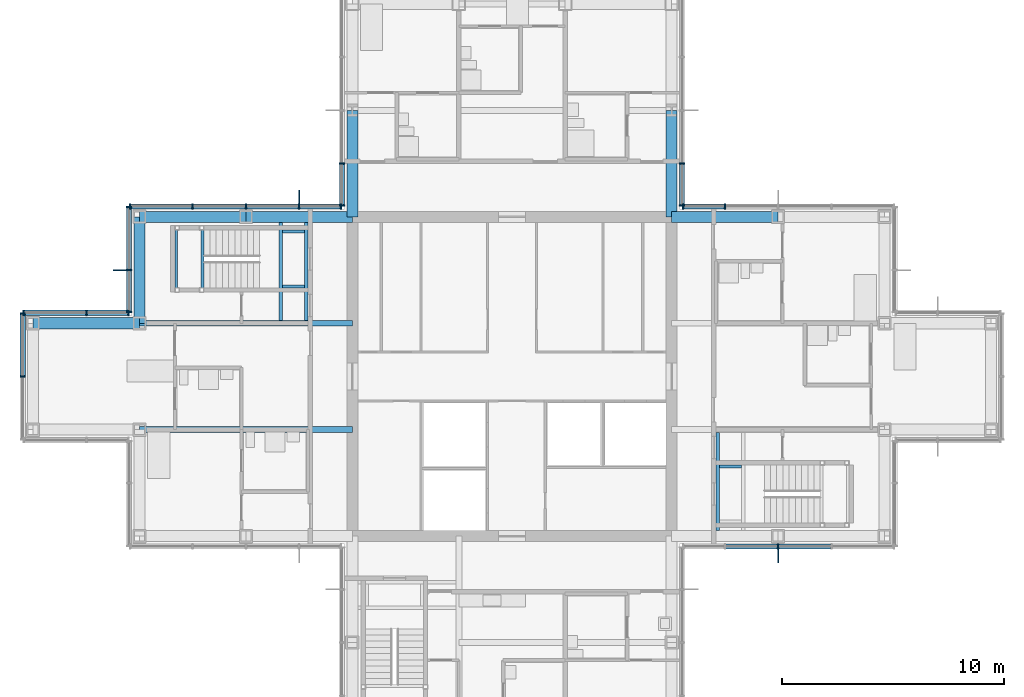
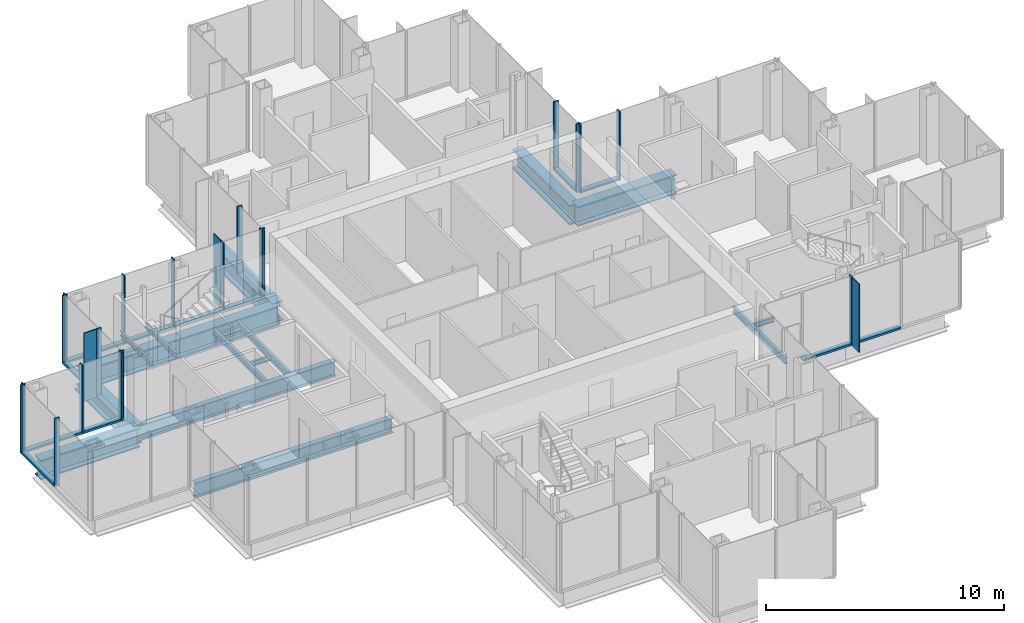
# One storey, part 7 of 17: 37 members, 17 beams, 8 elements without a shape of their own.
"""IFC4 building model written with IfcOpenShell, lengths in metres."""

from ifc_helpers import new_model, si_unit, direction, frame, origin, origin_2d, place, context, subcontext, project, spatial, rectangle, i_section, extrude, material, material_profile, profile_set, type_object, element, aggregate, save


model = new_model("IFC4")

# Units and contexts
model_context = context("Model", 3, precision=1e-05, world=origin(), true_north=direction((0.0, 1.0)))
body_context = subcontext(model_context, "Body", "Model", "MODEL_VIEW")
ifc_project = project(units=[si_unit("LENGTHUNIT", "METRE"), si_unit("AREAUNIT", "SQUARE_METRE"), si_unit("VOLUMEUNIT", "CUBIC_METRE"), si_unit("PLANEANGLEUNIT", "RADIAN"), si_unit("MASSUNIT", "GRAM", prefix="KILO")], contexts=[model_context])

# Site, building, storey
site_placement = place(None, origin())
site = spatial("IfcSite", under=ifc_project, at=site_placement, CompositionType="ELEMENT")
building_placement = place(site_placement, origin())
building = spatial("IfcBuilding", under=site, at=building_placement, Name="Kvirike Care Tower", CompositionType="ELEMENT")
storey_placement = place(building_placement, frame((0.0, 0.0, 148.0)))
storey = spatial("IfcBuildingStorey", under=building, at=storey_placement, Name="L40", CompositionType="ELEMENT", Elevation=148.0)

# Curtain wall, member
ifc_material_1 = material(Name="Anodised aluminium stick system", Category="aluminium")
curtain_wall_type = type_object("IfcCurtainWallType", Name="CW-C STICK CURTAIN WALL", PredefinedType="NOTDEFINED", material=ifc_material_1)
curtain_wall_1_placement = place(storey_placement, origin())
curtain_wall_1 = element("IfcCurtainWall", 1, at=curtain_wall_1_placement, inside=storey, type_object=curtain_wall_type, Name="Curtain wall L40 face 1", PredefinedType="NOTDEFINED")
ifc_material_2 = material(Name="Bronze anodised aluminium fin", Category="aluminium")
ifc_material_profile_1 = material_profile(ifc_material_2, rectangle(XDim=0.050048828125, YDim=0.60009765625, at=origin_2d()), Name="BRONZE FIN 600")
ifc_profile_set_1 = profile_set([ifc_material_profile_1], Name="Bronze anodised aluminium fin")
member_type_1 = type_object("IfcMemberType", Name="BRONZE FIN 600", PredefinedType="USERDEFINED", material=ifc_profile_set_1)
member_1_placement = place(storey_placement, frame((33.60009765625, 27.909912109375, 0.0), z_axis=(0.0, 0.0, 1.0), x_axis=(1.0, 0.0, 0.0)))
member_1 = element("IfcMember", 2, at=member_1_placement, type_object=member_type_1, Name="Bronze fin L40 face 1.3", ObjectType="FIN", PredefinedType="USERDEFINED", context=body_context, shape_type="SweptSolid", body=[
    extrude(rectangle(XDim=0.050048828125, YDim=0.60009765625, at=origin_2d()), origin(), (0.0, 0.0, 1.0), 3.5),
])

curtain_wall_2_placement = place(storey_placement, origin())
curtain_wall_2 = element("IfcCurtainWall", 3, at=curtain_wall_2_placement, inside=storey, type_object=curtain_wall_type, Name="Curtain wall L40 face 15", PredefinedType="NOTDEFINED")
member_2_placement = place(storey_placement, frame((12.0, 44.090087890625, 0.0), z_axis=(0.0, 0.0, 1.0), x_axis=(-1.0, 0.0, 0.0)))
member_2 = element("IfcMember", 4, at=member_2_placement, type_object=member_type_1, Name="Bronze fin L40 face 15.2", ObjectType="FIN", PredefinedType="USERDEFINED", context=body_context, shape_type="SweptSolid", body=[
    extrude(rectangle(XDim=0.050048828125, YDim=0.60009765625, at=origin_2d()), origin(), (0.0, 0.0, 1.0), 3.5),
])

curtain_wall_3_placement = place(storey_placement, origin())
curtain_wall_3 = element("IfcCurtainWall", 5, at=curtain_wall_3_placement, inside=storey, type_object=curtain_wall_type, Name="Curtain wall L40 face 16", PredefinedType="NOTDEFINED")
member_3_placement = place(storey_placement, frame((3.909912109375, 40.800048828125, 0.0), z_axis=(0.0, 0.0, 1.0), x_axis=(0.0, -1.0, 0.0)))
member_3 = element("IfcMember", 6, at=member_3_placement, type_object=member_type_1, Name="Bronze fin L40 face 16.2", ObjectType="FIN", PredefinedType="USERDEFINED", context=body_context, shape_type="SweptSolid", body=[
    extrude(rectangle(XDim=0.050048828125, YDim=0.60009765625, at=origin_2d()), origin(), (0.0, 0.0, 1.0), 3.5),
])

# Member
ifc_material_3 = material(Name="Bronze anodised aluminium mullion", Category="aluminium")
ifc_material_profile_2 = material_profile(ifc_material_3, rectangle(XDim=0.06494140625, YDim=0.239990234375, at=origin_2d()), Name="CW-C MULLION 65x240")
ifc_profile_set_2 = profile_set([ifc_material_profile_2], Name="Bronze anodised aluminium mullion")
member_type_2 = type_object("IfcMemberType", Name="CW-C MULLION 65x240", PredefinedType="MULLION", material=ifc_profile_set_2)
member_4_placement = place(storey_placement, frame((33.60009765625, 28.330078125, 0.0), z_axis=(0.0, 0.0, 1.0), x_axis=(1.0, 0.0, 0.0)))
member_4 = element("IfcMember", 7, at=member_4_placement, type_object=member_type_2, Name="CW-C mullion L40 face 1.3", PredefinedType="MULLION", context=body_context, shape_type="SweptSolid", body=[
    extrude(rectangle(XDim=0.06494140625, YDim=0.239990234375, at=origin_2d()), origin(), (0.0, 0.0, 1.0), 3.5),
])

# Curtain wall, members
curtain_wall_4_placement = place(storey_placement, origin())
curtain_wall_4 = element("IfcCurtainWall", 8, at=curtain_wall_4_placement, inside=storey, type_object=curtain_wall_type, Name="Curtain wall L40 face 7", PredefinedType="NOTDEFINED")
member_5_placement = place(storey_placement, frame((31.199951171875, 43.669921875, 0.0), z_axis=(0.0, 0.0, 1.0), x_axis=(-1.0, 0.0, 0.0)))
member_5 = element("IfcMember", 9, at=member_5_placement, type_object=member_type_2, Name="CW-C mullion L40 face 7.4", PredefinedType="MULLION", context=body_context, shape_type="SweptSolid", body=[
    extrude(rectangle(XDim=0.06494140625, YDim=0.239990234375, at=origin_2d()), origin(), (0.0, 0.0, 1.0), 3.5),
])
member_6_placement = place(storey_placement, frame((29.302490234375, 43.669921875, 0.0), z_axis=(0.0, 0.0, 1.0), x_axis=(-1.0, 0.0, 0.0)))
member_6 = element("IfcMember", 10, at=member_6_placement, type_object=member_type_2, Name="CW-C mullion L40 face 7.5", PredefinedType="MULLION", context=body_context, shape_type="SweptSolid", body=[
    extrude(rectangle(XDim=0.06494140625, YDim=0.239990234375, at=origin_2d()), origin(), (0.0, 0.0, 1.0), 3.5),
])

curtain_wall_5_placement = place(storey_placement, origin())
curtain_wall_5 = element("IfcCurtainWall", 11, at=curtain_wall_5_placement, inside=storey, type_object=curtain_wall_type, Name="Curtain wall L40 face 8", PredefinedType="NOTDEFINED")
member_7_placement = place(storey_placement, frame((29.27001953125, 43.702392578125, 0.0), z_axis=(0.0, 0.0, 1.0), x_axis=(0.0, 1.0, 0.0)))
member_7 = element("IfcMember", 12, at=member_7_placement, type_object=member_type_2, Name="CW-C mullion L40 face 8.1", PredefinedType="MULLION", context=body_context, shape_type="SweptSolid", body=[
    extrude(rectangle(XDim=0.06494140625, YDim=0.239990234375, at=origin_2d()), origin(), (0.0, 0.0, 1.0), 3.5),
])
member_8_placement = place(storey_placement, frame((29.27001953125, 45.60009765625, 0.0), z_axis=(0.0, 0.0, 1.0), x_axis=(0.0, 1.0, 0.0)))
member_8 = element("IfcMember", 13, at=member_8_placement, type_object=member_type_2, Name="CW-C mullion L40 face 8.2", PredefinedType="MULLION", context=body_context, shape_type="SweptSolid", body=[
    extrude(rectangle(XDim=0.06494140625, YDim=0.239990234375, at=origin_2d()), origin(), (0.0, 0.0, 1.0), 3.5),
])

curtain_wall_6_placement = place(storey_placement, origin())
curtain_wall_6 = element("IfcCurtainWall", 14, at=curtain_wall_6_placement, inside=storey, type_object=curtain_wall_type, Name="Curtain wall L40 face 14", PredefinedType="NOTDEFINED")
member_9_placement = place(storey_placement, frame((13.929931640625, 45.60009765625, 0.0), z_axis=(0.0, 0.0, 1.0), x_axis=(0.0, -1.0, 0.0)))
member_9 = element("IfcMember", 15, at=member_9_placement, type_object=member_type_2, Name="CW-C mullion L40 face 14.4", PredefinedType="MULLION", context=body_context, shape_type="SweptSolid", body=[
    extrude(rectangle(XDim=0.06494140625, YDim=0.239990234375, at=origin_2d()), origin(), (0.0, 0.0, 1.0), 3.5),
])
member_10_placement = place(storey_placement, frame((13.929931640625, 43.702392578125, 0.0), z_axis=(0.0, 0.0, 1.0), x_axis=(0.0, -1.0, 0.0)))
member_10 = element("IfcMember", 16, at=member_10_placement, type_object=member_type_2, Name="CW-C mullion L40 face 14.5", PredefinedType="MULLION", context=body_context, shape_type="SweptSolid", body=[
    extrude(rectangle(XDim=0.06494140625, YDim=0.239990234375, at=origin_2d()), origin(), (0.0, 0.0, 1.0), 3.5),
])

# Member
member_11_placement = place(storey_placement, frame((13.8974609375, 43.669921875, 0.0), z_axis=(0.0, 0.0, 1.0), x_axis=(-1.0, 0.0, 0.0)))
member_11 = element("IfcMember", 17, at=member_11_placement, type_object=member_type_2, Name="CW-C mullion L40 face 15.1", PredefinedType="MULLION", context=body_context, shape_type="SweptSolid", body=[
    extrude(rectangle(XDim=0.06494140625, YDim=0.239990234375, at=origin_2d()), origin(), (0.0, 0.0, 1.0), 3.5),
])

member_12_placement = place(storey_placement, frame((12.0, 43.669921875, 0.0), z_axis=(0.0, 0.0, 1.0), x_axis=(-1.0, 0.0, 0.0)))
member_12 = element("IfcMember", 18, at=member_12_placement, type_object=member_type_2, Name="CW-C mullion L40 face 15.2", PredefinedType="MULLION", context=body_context, shape_type="SweptSolid", body=[
    extrude(rectangle(XDim=0.06494140625, YDim=0.239990234375, at=origin_2d()), origin(), (0.0, 0.0, 1.0), 3.5),
])

member_13_placement = place(storey_placement, frame((9.60009765625, 43.669921875, 0.0), z_axis=(0.0, 0.0, 1.0), x_axis=(-1.0, 0.0, 0.0)))
member_13 = element("IfcMember", 19, at=member_13_placement, type_object=member_type_2, Name="CW-C mullion L40 face 15.3", PredefinedType="MULLION", context=body_context, shape_type="SweptSolid", body=[
    extrude(rectangle(XDim=0.06494140625, YDim=0.239990234375, at=origin_2d()), origin(), (0.0, 0.0, 1.0), 3.5),
])

member_14_placement = place(storey_placement, frame((7.199951171875, 43.669921875, 0.0), z_axis=(0.0, 0.0, 1.0), x_axis=(-1.0, 0.0, 0.0)))
member_14 = element("IfcMember", 20, at=member_14_placement, type_object=member_type_2, Name="CW-C mullion L40 face 15.4", PredefinedType="MULLION", context=body_context, shape_type="SweptSolid", body=[
    extrude(rectangle(XDim=0.06494140625, YDim=0.239990234375, at=origin_2d()), origin(), (0.0, 0.0, 1.0), 3.5),
])

member_15_placement = place(storey_placement, frame((4.362548828125, 43.669921875, 0.0), z_axis=(0.0, 0.0, 1.0), x_axis=(-1.0, 0.0, 0.0)))
member_15 = element("IfcMember", 21, at=member_15_placement, type_object=member_type_2, Name="CW-C mullion L40 face 15.5", PredefinedType="MULLION", context=body_context, shape_type="SweptSolid", body=[
    extrude(rectangle(XDim=0.06494140625, YDim=0.239990234375, at=origin_2d()), origin(), (0.0, 0.0, 1.0), 3.5),
])

member_16_placement = place(storey_placement, frame((4.330078125, 43.637451171875, 0.0), z_axis=(0.0, 0.0, 1.0), x_axis=(0.0, -1.0, 0.0)))
member_16 = element("IfcMember", 22, at=member_16_placement, type_object=member_type_2, Name="CW-C mullion L40 face 16.1", PredefinedType="MULLION", context=body_context, shape_type="SweptSolid", body=[
    extrude(rectangle(XDim=0.06494140625, YDim=0.239990234375, at=origin_2d()), origin(), (0.0, 0.0, 1.0), 3.5),
])

member_17_placement = place(storey_placement, frame((4.330078125, 40.800048828125, 0.0), z_axis=(0.0, 0.0, 1.0), x_axis=(0.0, -1.0, 0.0)))
member_17 = element("IfcMember", 23, at=member_17_placement, type_object=member_type_2, Name="CW-C mullion L40 face 16.2", PredefinedType="MULLION", context=body_context, shape_type="SweptSolid", body=[
    extrude(rectangle(XDim=0.06494140625, YDim=0.239990234375, at=origin_2d()), origin(), (0.0, 0.0, 1.0), 3.5),
])

member_18_placement = place(storey_placement, frame((4.330078125, 38.902587890625, 0.0), z_axis=(0.0, 0.0, 1.0), x_axis=(0.0, -1.0, 0.0)))
member_18 = element("IfcMember", 24, at=member_18_placement, type_object=member_type_2, Name="CW-C mullion L40 face 16.3", PredefinedType="MULLION", context=body_context, shape_type="SweptSolid", body=[
    extrude(rectangle(XDim=0.06494140625, YDim=0.239990234375, at=origin_2d()), origin(), (0.0, 0.0, 1.0), 3.5),
])

# Curtain wall, members
curtain_wall_7_placement = place(storey_placement, origin())
curtain_wall_7 = element("IfcCurtainWall", 25, at=curtain_wall_7_placement, inside=storey, type_object=curtain_wall_type, Name="Curtain wall L40 face 17", PredefinedType="NOTDEFINED")
member_19_placement = place(storey_placement, frame((4.297607421875, 38.8701171875, 0.0), z_axis=(0.0, 0.0, 1.0), x_axis=(-1.0, 0.0, 0.0)))
member_19 = element("IfcMember", 26, at=member_19_placement, type_object=member_type_2, Name="CW-C mullion L40 face 17.1", PredefinedType="MULLION", context=body_context, shape_type="SweptSolid", body=[
    extrude(rectangle(XDim=0.06494140625, YDim=0.239990234375, at=origin_2d()), origin(), (0.0, 0.0, 1.0), 3.5),
])
member_20_placement = place(storey_placement, frame((2.39990234375, 38.8701171875, 0.0), z_axis=(0.0, 0.0, 1.0), x_axis=(-1.0, 0.0, 0.0)))
member_20 = element("IfcMember", 27, at=member_20_placement, type_object=member_type_2, Name="CW-C mullion L40 face 17.2", PredefinedType="MULLION", context=body_context, shape_type="SweptSolid", body=[
    extrude(rectangle(XDim=0.06494140625, YDim=0.239990234375, at=origin_2d()), origin(), (0.0, 0.0, 1.0), 3.5),
])
member_21_placement = place(storey_placement, frame((-0.4375, 38.8701171875, 0.0), z_axis=(0.0, 0.0, 1.0), x_axis=(-1.0, 0.0, 0.0)))
member_21 = element("IfcMember", 28, at=member_21_placement, type_object=member_type_2, Name="CW-C mullion L40 face 17.3", PredefinedType="MULLION", context=body_context, shape_type="SweptSolid", body=[
    extrude(rectangle(XDim=0.06494140625, YDim=0.239990234375, at=origin_2d()), origin(), (0.0, 0.0, 1.0), 3.5),
])

curtain_wall_8_placement = place(storey_placement, origin())
curtain_wall_8 = element("IfcCurtainWall", 29, at=curtain_wall_8_placement, inside=storey, type_object=curtain_wall_type, Name="Curtain wall L40 face 18", PredefinedType="NOTDEFINED")
member_22_placement = place(storey_placement, frame((-0.469970703125, 38.83740234375, 0.0), z_axis=(0.0, 0.0, 1.0), x_axis=(0.0, -1.0, 0.0)))
member_22 = element("IfcMember", 30, at=member_22_placement, type_object=member_type_2, Name="CW-C mullion L40 face 18.1", PredefinedType="MULLION", context=body_context, shape_type="SweptSolid", body=[
    extrude(rectangle(XDim=0.06494140625, YDim=0.239990234375, at=origin_2d()), origin(), (0.0, 0.0, 1.0), 3.5),
])
member_23_placement = place(storey_placement, frame((-0.469970703125, 36.0, 0.0), z_axis=(0.0, 0.0, 1.0), x_axis=(0.0, -1.0, 0.0)))
member_23 = element("IfcMember", 31, at=member_23_placement, type_object=member_type_2, Name="CW-C mullion L40 face 18.2", PredefinedType="MULLION", context=body_context, shape_type="SweptSolid", body=[
    extrude(rectangle(XDim=0.06494140625, YDim=0.239990234375, at=origin_2d()), origin(), (0.0, 0.0, 1.0), 3.5),
])

# Member
ifc_material_4 = material(Name="Bronze anodised aluminium transom", Category="aluminium")
ifc_material_profile_3 = material_profile(ifc_material_4, rectangle(XDim=0.239990234375, YDim=0.10009765625, at=origin_2d()), Name="CW-C TRANSOM 240x100")
ifc_profile_set_3 = profile_set([ifc_material_profile_3], Name="Bronze anodised aluminium transom")
member_type_3 = type_object("IfcMemberType", Name="CW-C TRANSOM 240x100", PredefinedType="USERDEFINED", material=ifc_profile_set_3)
member_24_placement = place(storey_placement, frame((31.232421875, 28.330078125, 0.050048828125), z_axis=(1.0, 0.0, 0.0), x_axis=(0.0, 1.0, 0.0)))
member_24 = element("IfcMember", 32, at=member_24_placement, type_object=member_type_3, Name="CW-C sill transom L40 face 1.2", ObjectType="TRANSOM", PredefinedType="USERDEFINED", context=body_context, shape_type="SweptSolid", body=[
    extrude(rectangle(XDim=0.239990234375, YDim=0.10009765625, at=origin_2d()), origin(), (0.0, 0.0, 1.0), 2.3349609375),
])

member_25_placement = place(storey_placement, frame((33.632568359375, 28.330078125, 0.050048828125), z_axis=(1.0, 0.0, 0.0), x_axis=(0.0, 1.0, 0.0)))
member_25 = element("IfcMember", 33, at=member_25_placement, type_object=member_type_3, Name="CW-C sill transom L40 face 1.3", ObjectType="TRANSOM", PredefinedType="USERDEFINED", context=body_context, shape_type="SweptSolid", body=[
    extrude(rectangle(XDim=0.239990234375, YDim=0.10009765625, at=origin_2d()), origin(), (0.0, 0.0, 1.0), 2.3349609375),
])

aggregate(curtain_wall_1, [member_4, member_1, member_24, member_25])

member_26_placement = place(storey_placement, frame((31.16748046875, 43.669921875, 0.050048828125), z_axis=(-1.0, 0.0, 0.0), x_axis=(0.0, -1.0, 0.0)))
member_26 = element("IfcMember", 34, at=member_26_placement, type_object=member_type_3, Name="CW-C sill transom L40 face 7.4", ObjectType="TRANSOM", PredefinedType="USERDEFINED", context=body_context, shape_type="SweptSolid", body=[
    extrude(rectangle(XDim=0.239990234375, YDim=0.10009765625, at=origin_2d()), origin(), (0.0, 0.0, 1.0), 1.83251953125),
])

aggregate(curtain_wall_4, [member_5, member_6, member_26])

member_27_placement = place(storey_placement, frame((29.27001953125, 43.735107421875, 0.050048828125), z_axis=(0.0, 1.0, 0.0), x_axis=(-1.0, 0.0, 0.0)))
member_27 = element("IfcMember", 35, at=member_27_placement, type_object=member_type_3, Name="CW-C sill transom L40 face 8.1", ObjectType="TRANSOM", PredefinedType="USERDEFINED", context=body_context, shape_type="SweptSolid", body=[
    extrude(rectangle(XDim=0.239990234375, YDim=0.10009765625, at=origin_2d()), origin(), (0.0, 0.0, 1.0), 1.832275390625),
])

aggregate(curtain_wall_5, [member_7, member_8, member_27])

member_28_placement = place(storey_placement, frame((13.929931640625, 45.5673828125, 0.050048828125), z_axis=(0.0, -1.0, 0.0), x_axis=(1.0, 0.0, 0.0)))
member_28 = element("IfcMember", 36, at=member_28_placement, type_object=member_type_3, Name="CW-C sill transom L40 face 14.4", ObjectType="TRANSOM", PredefinedType="USERDEFINED", context=body_context, shape_type="SweptSolid", body=[
    extrude(rectangle(XDim=0.239990234375, YDim=0.10009765625, at=origin_2d()), origin(), (0.0, 0.0, 1.0), 1.832275390625),
])

aggregate(curtain_wall_6, [member_9, member_10, member_28])

member_29_placement = place(storey_placement, frame((13.864990234375, 43.669921875, 0.050048828125), z_axis=(-1.0, 0.0, 0.0), x_axis=(0.0, -1.0, 0.0)))
member_29 = element("IfcMember", 37, at=member_29_placement, type_object=member_type_3, Name="CW-C sill transom L40 face 15.1", ObjectType="TRANSOM", PredefinedType="USERDEFINED", context=body_context, shape_type="SweptSolid", body=[
    extrude(rectangle(XDim=0.239990234375, YDim=0.10009765625, at=origin_2d()), origin(), (0.0, 0.0, 1.0), 1.83251953125),
])

member_30_placement = place(storey_placement, frame((11.967529296875, 43.669921875, 0.050048828125), z_axis=(-1.0, 0.0, 0.0), x_axis=(0.0, -1.0, 0.0)))
member_30 = element("IfcMember", 38, at=member_30_placement, type_object=member_type_3, Name="CW-C sill transom L40 face 15.2", ObjectType="TRANSOM", PredefinedType="USERDEFINED", context=body_context, shape_type="SweptSolid", body=[
    extrude(rectangle(XDim=0.239990234375, YDim=0.10009765625, at=origin_2d()), origin(), (0.0, 0.0, 1.0), 2.3349609375),
])

member_31_placement = place(storey_placement, frame((9.5673828125, 43.669921875, 0.050048828125), z_axis=(-1.0, 0.0, 0.0), x_axis=(0.0, -1.0, 0.0)))
member_31 = element("IfcMember", 39, at=member_31_placement, type_object=member_type_3, Name="CW-C sill transom L40 face 15.3", ObjectType="TRANSOM", PredefinedType="USERDEFINED", context=body_context, shape_type="SweptSolid", body=[
    extrude(rectangle(XDim=0.239990234375, YDim=0.10009765625, at=origin_2d()), origin(), (0.0, 0.0, 1.0), 2.3349609375),
])

member_32_placement = place(storey_placement, frame((7.16748046875, 43.669921875, 0.050048828125), z_axis=(-1.0, 0.0, 0.0), x_axis=(0.0, -1.0, 0.0)))
member_32 = element("IfcMember", 40, at=member_32_placement, type_object=member_type_3, Name="CW-C sill transom L40 face 15.4", ObjectType="TRANSOM", PredefinedType="USERDEFINED", context=body_context, shape_type="SweptSolid", body=[
    extrude(rectangle(XDim=0.239990234375, YDim=0.10009765625, at=origin_2d()), origin(), (0.0, 0.0, 1.0), 2.7724609375),
])

aggregate(curtain_wall_2, [member_11, member_12, member_2, member_13, member_14, member_15, member_29, member_30, member_31, member_32])

member_33_placement = place(storey_placement, frame((4.330078125, 43.60498046875, 0.050048828125), z_axis=(0.0, -1.0, 0.0), x_axis=(1.0, 0.0, 0.0)))
member_33 = element("IfcMember", 41, at=member_33_placement, type_object=member_type_3, Name="CW-C sill transom L40 face 16.1", ObjectType="TRANSOM", PredefinedType="USERDEFINED", context=body_context, shape_type="SweptSolid", body=[
    extrude(rectangle(XDim=0.239990234375, YDim=0.10009765625, at=origin_2d()), origin(), (0.0, 0.0, 1.0), 2.7724609375),
])

member_34_placement = place(storey_placement, frame((4.330078125, 40.767578125, 0.050048828125), z_axis=(0.0, -1.0, 0.0), x_axis=(1.0, 0.0, 0.0)))
member_34 = element("IfcMember", 42, at=member_34_placement, type_object=member_type_3, Name="CW-C sill transom L40 face 16.2", ObjectType="TRANSOM", PredefinedType="USERDEFINED", context=body_context, shape_type="SweptSolid", body=[
    extrude(rectangle(XDim=0.239990234375, YDim=0.10009765625, at=origin_2d()), origin(), (0.0, 0.0, 1.0), 1.83251953125),
])

aggregate(curtain_wall_3, [member_16, member_17, member_3, member_18, member_33, member_34])

member_35_placement = place(storey_placement, frame((4.264892578125, 38.8701171875, 0.050048828125), z_axis=(-1.0, 0.0, 0.0), x_axis=(0.0, -1.0, 0.0)))
member_35 = element("IfcMember", 43, at=member_35_placement, type_object=member_type_3, Name="CW-C sill transom L40 face 17.1", ObjectType="TRANSOM", PredefinedType="USERDEFINED", context=body_context, shape_type="SweptSolid", body=[
    extrude(rectangle(XDim=0.239990234375, YDim=0.10009765625, at=origin_2d()), origin(), (0.0, 0.0, 1.0), 1.832275390625),
])

member_36_placement = place(storey_placement, frame((2.367431640625, 38.8701171875, 0.050048828125), z_axis=(-1.0, 0.0, 0.0), x_axis=(0.0, -1.0, 0.0)))
member_36 = element("IfcMember", 44, at=member_36_placement, type_object=member_type_3, Name="CW-C sill transom L40 face 17.2", ObjectType="TRANSOM", PredefinedType="USERDEFINED", context=body_context, shape_type="SweptSolid", body=[
    extrude(rectangle(XDim=0.239990234375, YDim=0.10009765625, at=origin_2d()), origin(), (0.0, 0.0, 1.0), 2.7724609375),
])

aggregate(curtain_wall_7, [member_19, member_20, member_21, member_35, member_36])

member_37_placement = place(storey_placement, frame((-0.469970703125, 38.804931640625, 0.050048828125), z_axis=(0.0, -1.0, 0.0), x_axis=(1.0, 0.0, 0.0)))
member_37 = element("IfcMember", 45, at=member_37_placement, type_object=member_type_3, Name="CW-C sill transom L40 face 18.1", ObjectType="TRANSOM", PredefinedType="USERDEFINED", context=body_context, shape_type="SweptSolid", body=[
    extrude(rectangle(XDim=0.239990234375, YDim=0.10009765625, at=origin_2d()), origin(), (0.0, 0.0, 1.0), 2.7724609375),
])

aggregate(curtain_wall_8, [member_22, member_23, member_37])

# Beams
ifc_material_5 = material(Name="Steel S355", Category="steel")
ifc_material_profile_4 = material_profile(ifc_material_5, i_section(OverallWidth=0.26806640625, OverallDepth=0.77001953125, WebThickness=0.015625, FlangeThickness=0.025390625, FilletRadius=0.01708984375, at=origin_2d()), Name="IPE 750x196")
ifc_profile_set_4 = profile_set([ifc_material_profile_4], Name="Steel S355")
beam_type_1 = type_object("IfcBeamType", Name="FLOOR BEAM IPE 750x196", PredefinedType="BEAM", material=ifc_profile_set_4)
for number, where, z_axis, x_axis, name in (
    (46, (4.800048828125, 33.60009765625, -0.554931640625), (1.0, 0.0, 0.0), (0.0, 1.0, 0.0), "Floor Beam H4-H6 L40"),
    (47, (4.800048828125, 38.39990234375, -0.554931640625), (1.0, 0.0, 0.0), (0.0, 1.0, 0.0), "Floor Beam J4-J6 L40"),
):
    element("IfcBeam", number, at=place(storey_placement, frame(where, z_axis=z_axis, x_axis=x_axis)), inside=storey, type_object=beam_type_1, Name=name, PredefinedType="BEAM", context=body_context, shape_type="SweptSolid", body=[
        extrude(i_section(OverallWidth=0.26806640625, OverallDepth=0.77001953125, WebThickness=0.015625, FlangeThickness=0.025390625, FilletRadius=0.01708984375, at=origin_2d()), origin(), (0.0, 0.0, 1.0), 9.599853515625),
    ])
ifc_material_6 = material(Name="Steel S355", Category="steel")
ifc_material_profile_5 = material_profile(ifc_material_6, i_section(OverallWidth=0.5, OverallDepth=1.0, WebThickness=0.030029296875, FlangeThickness=0.06005859375, at=origin_2d()), Name="PG 1000x500x30x60")
ifc_profile_set_5 = profile_set([ifc_material_profile_5], Name="Steel S355")
beam_type_2 = type_object("IfcBeamType", Name="SPANDREL PG 1000x500x30x60", PredefinedType="SPANDREL", material=ifc_profile_set_5)
for number, where, z_axis, x_axis, name in (
    (48, (0.0, 38.39990234375, -0.669921875), (1.0, 0.0, 0.0), (0.0, 1.0, 0.0), "Spandrel J3-J4 L40"),
    (49, (4.800048828125, 43.199951171875, -0.669921875), (1.0, 0.0, 0.0), (0.0, 1.0, 0.0), "Spandrel K4-K5 L40"),
):
    element("IfcBeam", number, at=place(storey_placement, frame(where, z_axis=z_axis, x_axis=x_axis)), inside=storey, type_object=beam_type_2, Name=name, PredefinedType="SPANDREL", context=body_context, shape_type="SweptSolid", body=[
        extrude(i_section(OverallWidth=0.5, OverallDepth=1.0, WebThickness=0.030029296875, FlangeThickness=0.06005859375, at=origin_2d()), origin(), (0.0, 0.0, 1.0), 4.800048828125),
    ])
beam_placement = place(storey_placement, frame((9.60009765625, 43.199951171875, -0.669921875), z_axis=(1.0, 0.0, 0.0), x_axis=(0.0, 1.0, 0.0)))
element("IfcBeam", 50, at=beam_placement, inside=storey, type_object=beam_type_2, Name="Spandrel K5-K6 L40", PredefinedType="SPANDREL", context=body_context, shape_type="SweptSolid", body=[
    extrude(i_section(OverallWidth=0.5, OverallDepth=1.0, WebThickness=0.030029296875, FlangeThickness=0.06005859375, at=origin_2d()), origin(), (0.0, 0.0, 1.0), 4.7998046875),
])
for number, where, z_axis, x_axis, name in (
    (51, (28.800048828125, 43.199951171875, -0.669921875), (1.0, 0.0, 0.0), (0.0, 1.0, 0.0), "Spandrel K9-K10 L40"),
    (52, (4.800048828125, 38.39990234375, -0.669921875), (0.0, 1.0, 0.0), (-1.0, 0.0, 0.0), "Spandrel J4-K4 L40"),
    (53, (14.39990234375, 43.199951171875, -0.669921875), (0.0, 1.0, 0.0), (-1.0, 0.0, 0.0), "Spandrel K6-L6 L40"),
    (54, (28.800048828125, 43.199951171875, -0.669921875), (0.0, 1.0, 0.0), (-1.0, 0.0, 0.0), "Spandrel K9-L9 L40"),
):
    element("IfcBeam", number, at=place(storey_placement, frame(where, z_axis=z_axis, x_axis=x_axis)), inside=storey, type_object=beam_type_2, Name=name, PredefinedType="SPANDREL", context=body_context, shape_type="SweptSolid", body=[
        extrude(i_section(OverallWidth=0.5, OverallDepth=1.0, WebThickness=0.030029296875, FlangeThickness=0.06005859375, at=origin_2d()), origin(), (0.0, 0.0, 1.0), 4.800048828125),
    ])
ifc_material_7 = material(Name="Steel S355", Category="steel")
ifc_material_profile_6 = material_profile(ifc_material_7, i_section(OverallWidth=0.1201171875, OverallDepth=0.239990234375, WebThickness=0.006103515625, FlangeThickness=0.009765625, FilletRadius=0.014892578125, at=origin_2d()), Name="IPE 240")
ifc_profile_set_6 = profile_set([ifc_material_profile_6], Name="Steel S355")
beam_type_3 = type_object("IfcBeamType", Name="STAIR LANDING BEAM IPE 240", PredefinedType="BEAM", material=ifc_profile_set_6)
for number, where, z_axis, x_axis, name in (
    (55, (6.4599609375, 42.60009765625, 1.429931640625), (0.0, -1.0, 0.0), (1.0, 0.0, 0.0), "Stair 1 landing beam back L40"),
    (56, (7.639892578125, 42.60009765625, 1.429931640625), (0.0, -1.0, 0.0), (1.0, 0.0, 0.0), "Stair 1 landing beam front L40"),
):
    element("IfcBeam", number, at=place(storey_placement, frame(where, z_axis=z_axis, x_axis=x_axis)), inside=storey, type_object=beam_type_3, Name=name, PredefinedType="BEAM", context=body_context, shape_type="SweptSolid", body=[
        extrude(i_section(OverallWidth=0.1201171875, OverallDepth=0.239990234375, WebThickness=0.006103515625, FlangeThickness=0.009765625, FilletRadius=0.014892578125, at=origin_2d()), origin(), (0.0, 0.0, 1.0), 2.60009765625),
    ])
for number, where, z_axis, x_axis, name in (
    (57, (11.25, 42.5400390625, -0.320068359375), (1.0, 0.0, 0.0), (0.0, 1.0, 0.0), "Stair 1 landing edge beam 1 L40"),
    (58, (11.25, 40.06005859375, -0.320068359375), (1.0, 0.0, 0.0), (0.0, 1.0, 0.0), "Stair 1 landing edge beam 2 L40"),
    (59, (31.949951171875, 31.93994140625, -0.320068359375), (-1.0, 0.0, 0.0), (0.0, -1.0, 0.0), "Stair 2 landing edge beam 2 L40"),
):
    element("IfcBeam", number, at=place(storey_placement, frame(where, z_axis=z_axis, x_axis=x_axis)), inside=storey, type_object=beam_type_3, Name=name, PredefinedType="BEAM", context=body_context, shape_type="SweptSolid", body=[
        extrude(i_section(OverallWidth=0.1201171875, OverallDepth=0.239990234375, WebThickness=0.006103515625, FlangeThickness=0.009765625, FilletRadius=0.014892578125, at=origin_2d()), origin(), (0.0, 0.0, 1.0), 1.0),
    ])
ifc_material_8 = material(Name="Steel S355", Category="steel")
ifc_material_profile_7 = material_profile(ifc_material_8, i_section(OverallWidth=0.14990234375, OverallDepth=0.300048828125, WebThickness=0.007080078125, FlangeThickness=0.0107421875, FilletRadius=0.014892578125, at=origin_2d()), Name="IPE 300")
ifc_profile_set_7 = profile_set([ifc_material_profile_7], Name="Steel S355")
beam_type_4 = type_object("IfcBeamType", Name="STAIR TRIMMER IPE 300", PredefinedType="BEAM", material=ifc_profile_set_7)
for number, where, z_axis, x_axis, name in (
    (60, (11.175048828125, 42.949951171875, -0.35009765625), (0.0, -1.0, 0.0), (1.0, 0.0, 0.0), "Stair 1 trimmer 1 L40"),
    (61, (12.324951171875, 42.949951171875, -0.35009765625), (0.0, -1.0, 0.0), (1.0, 0.0, 0.0), "Stair 1 trimmer 2 L40"),
    (62, (30.875, 29.050048828125, -0.35009765625), (0.0, 1.0, 0.0), (-1.0, 0.0, 0.0), "Stair 2 trimmer 2 L40"),
):
    element("IfcBeam", number, at=place(storey_placement, frame(where, z_axis=z_axis, x_axis=x_axis)), inside=storey, type_object=beam_type_4, Name=name, PredefinedType="BEAM", context=body_context, shape_type="SweptSolid", body=[
        extrude(i_section(OverallWidth=0.14990234375, OverallDepth=0.300048828125, WebThickness=0.007080078125, FlangeThickness=0.0107421875, FilletRadius=0.014892578125, at=origin_2d()), origin(), (0.0, 0.0, 1.0), 4.416015625),
    ])

save(model, "model.ifc")
